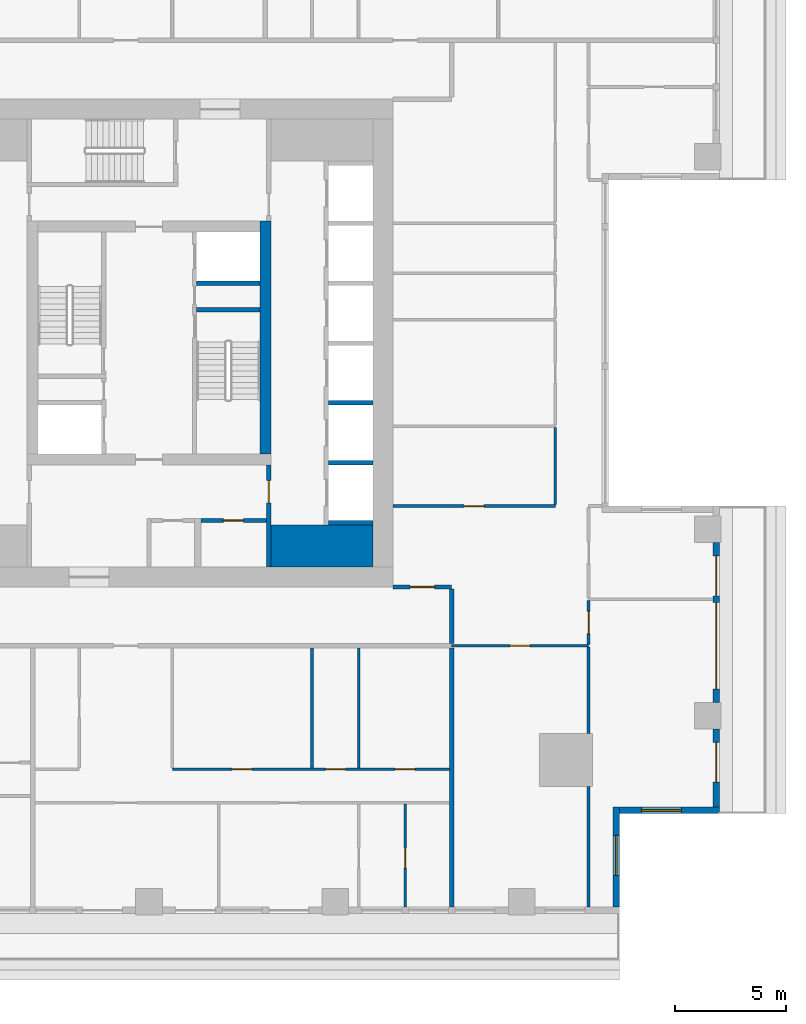
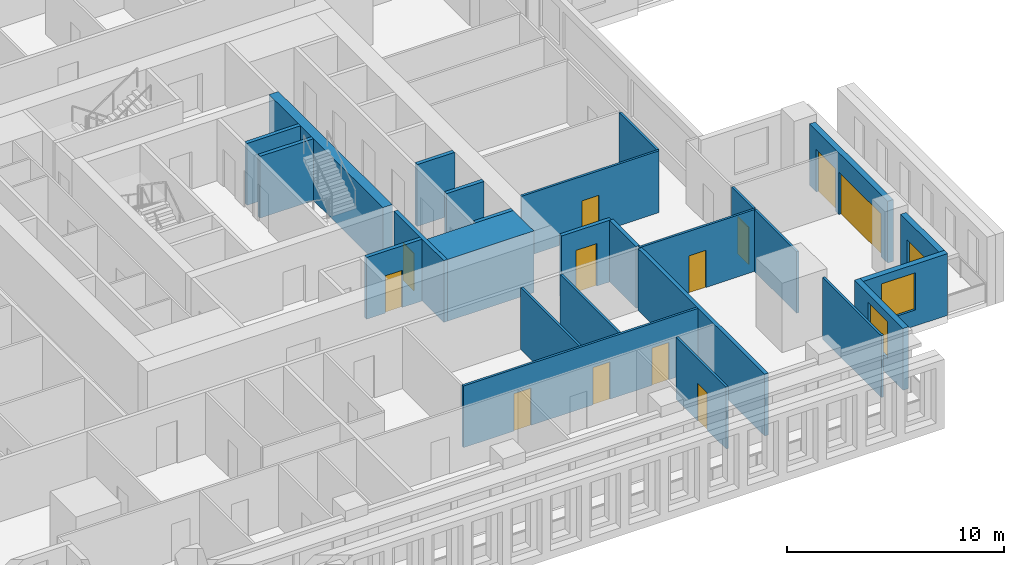
# One storey, part 5 of 16: 26 walls, 13 doors, 2 windows, 15 openings.
"""IFC4 building model written with IfcOpenShell, lengths in metres."""

import ifcopenshell
import ifcopenshell.guid

model = None  # the IFC model being written
_history = None  # IfcOwnerHistory: only IFC2X3 demands one
_inside = {}  # id of a spatial element -> (the spatial element, [elements in it])
_under = {}  # id of a project, library or spatial element -> (it, [spatial elements below it])
_declared = {}  # id of a project -> (the project, [libraries it declares])
_typed = {}  # id of a type object -> (the type object, [elements of that type])
_made_of = {}  # id of a material, layer set ... -> (it, [elements and type objects made of it])


def new_model(schema):
    """Start an empty IFC model of exactly this schema.

    Asked for "IFC4X3", IfcOpenShell would pick the latest addendum, in which some entities
    have other attributes; the version numbers below select the first issue.
    IFC2X3 requires an IfcOwnerHistory on every rooted entity: one is made here for all.
    """
    global model, _history
    if schema == "IFC4X3":
        model = ifcopenshell.file(schema_version=(4, 3, 0, 0))
    else:
        model = ifcopenshell.file(schema=schema)
    _inside.clear()
    _under.clear()
    _declared.clear()
    _typed.clear()
    _made_of.clear()
    _history = None
    if model.schema == "IFC2X3":
        org = make("IfcOrganization", Name="unknown")
        user = make(
            "IfcPersonAndOrganization",
            ThePerson=make("IfcPerson", FamilyName="unknown"),
            TheOrganization=org,
        )
        app = make(
            "IfcApplication",
            ApplicationDeveloper=org,
            Version="unknown",
            ApplicationFullName="unknown",
            ApplicationIdentifier="unknown",
        )
        _history = make(
            "IfcOwnerHistory",
            OwningUser=user,
            OwningApplication=app,
            ChangeAction="ADDED",
            CreationDate=0,
        )
    return model


def make(cls, **values):
    """One entity of the class cls with the attributes given. An attribute that is None is left unset."""
    return model.create_entity(
        cls, **{name: value for name, value in values.items() if value is not None}
    )


def rooted(cls, **values):
    """An entity with a GlobalId (a new one), such as an element, a storey or a relation."""
    return make(cls, GlobalId=ifcopenshell.guid.new(), OwnerHistory=_history, **values)


def si_unit(unit_type, name, prefix=None):
    """IfcSIUnit, for example si_unit("LENGTHUNIT", "METRE", prefix="MILLI")."""
    return make("IfcSIUnit", UnitType=unit_type, Prefix=prefix, Name=name)


def assignment(units):
    """IfcUnitAssignment: the units of a project."""
    return None if units is None else make("IfcUnitAssignment", Units=units)


def point(xyz):
    """IfcCartesianPoint."""
    return None if xyz is None else make("IfcCartesianPoint", Coordinates=xyz)


def direction(xyz):
    """IfcDirection."""
    return None if xyz is None else make("IfcDirection", DirectionRatios=xyz)


def frame(location, z_axis=None, x_axis=None):
    """IfcAxis2Placement3D, a coordinate frame: its origin and axes. An axis left out is left unset."""
    return make(
        "IfcAxis2Placement3D",
        Location=point(location),
        Axis=direction(z_axis),
        RefDirection=direction(x_axis),
    )


def frame_2d(location, x_axis=None):
    """IfcAxis2Placement2D, a coordinate frame in the plane: its origin and x axis."""
    return make(
        "IfcAxis2Placement2D", Location=point(location), RefDirection=direction(x_axis)
    )


def origin():
    """The frame at (0, 0, 0) with its axes left unset."""
    return frame((0.0, 0.0, 0.0))


def place(relative_to, where):
    """IfcLocalPlacement: puts the frame where relative to a parent placement (None: the world)."""
    return make(
        "IfcLocalPlacement", PlacementRelTo=relative_to, RelativePlacement=where
    )


def context(
    kind, dimensions, precision=None, world=None, true_north=None, identifier=None
):
    """IfcGeometricRepresentationContext, for example the 3D "Model" context."""
    return make(
        "IfcGeometricRepresentationContext",
        ContextIdentifier=identifier,
        ContextType=kind,
        CoordinateSpaceDimension=dimensions,
        Precision=precision,
        WorldCoordinateSystem=world,
        TrueNorth=true_north,
    )


def subcontext(parent, identifier, kind, view, scale=None):
    """IfcGeometricRepresentationSubContext, for example "Body" below "Model"."""
    return make(
        "IfcGeometricRepresentationSubContext",
        ContextIdentifier=identifier,
        ContextType=kind,
        ParentContext=parent,
        TargetScale=scale,
        TargetView=view,
    )


def project(units=None, contexts=None):
    """IfcProject with its units and contexts."""
    return rooted(
        "IfcProject",
        Name="project",
        RepresentationContexts=contexts,
        UnitsInContext=assignment(units),
    )


def spatial(cls, under=None, at=None, **own):
    """A site, building, storey or space (cls), placed at a placement, below another one or the project."""
    s = rooted(cls, ObjectPlacement=at, **own)
    if under is not None:
        _under.setdefault(under.id(), (under, []))[1].append(s)
    return s


def profile(cls, at=None, kind="AREA", **sizes):
    """A parametric profile (cls). Its sizes go by their IFC names, for example OverallWidth=200.0."""
    return make(cls, ProfileType=kind, Position=at, **sizes)


def rectangle(**sizes):
    """IfcRectangleProfileDef."""
    return profile("IfcRectangleProfileDef", **sizes)


def extrude(swept, where, along, depth):
    """IfcExtrudedAreaSolid: the profile swept, set in the frame where, extruded along a direction by depth."""
    return make(
        "IfcExtrudedAreaSolid",
        SweptArea=swept,
        Position=where,
        ExtrudedDirection=direction(along),
        Depth=depth,
    )


def shape(context_of_items, identifier, shape_type, items):
    """IfcShapeRepresentation: the items that make up one representation, for example the "Body"."""
    return make(
        "IfcShapeRepresentation",
        ContextOfItems=context_of_items,
        RepresentationIdentifier=identifier,
        RepresentationType=shape_type,
        Items=items,
    )


def material(Name=None, Category=None):
    """IfcMaterial."""
    return make("IfcMaterial", Name=Name, Category=Category)


def layer(
    of_material, thickness, ventilated=None, Name=None, Category=None, Priority=None
):
    """IfcMaterialLayer: one layer of a wall or slab, of a material (None: an air gap)."""
    return make(
        "IfcMaterialLayer",
        Material=of_material,
        LayerThickness=thickness,
        IsVentilated=ventilated,
        Name=Name,
        Category=Category,
        Priority=Priority,
    )


def layer_set(layers, Name=None):
    """IfcMaterialLayerSet."""
    return make("IfcMaterialLayerSet", MaterialLayers=layers, LayerSetName=Name)


def made_of(thing, what):
    """Note that an element or type object is made of a material, layer set ...; save() writes the relation."""
    if what is not None:
        _made_of.setdefault(what.id(), (what, []))[1].append(thing)
    return thing


def type_object(cls, material=None, **own):
    """A type object (cls), such as IfcWallType, which elements share."""
    return made_of(rooted(cls, **own), material)


def element(
    cls,
    number,
    at=None,
    inside=None,
    cuts=None,
    type_object=None,
    material=None,
    context=None,
    identifier="Body",
    shape_type=None,
    held_by="IfcProductDefinitionShape",
    body=None,
    shapes=None,
    **own,
):
    """One element of the class cls, such as IfcWall. Its Tag is "e" and its number.

    at: its placement. inside: the storey or other place that contains it. cuts: it is an
    opening in that element (IfcRelVoidsElement). A single representation is given by context,
    identifier, shape_type and body (its items); several are given by shapes. held_by: the class
    of the entity that holds the representations. save() writes the other relations.
    """
    e = rooted(cls, Tag="e%d" % number, ObjectPlacement=at, **own)
    if body is not None:
        shapes = [shape(context, identifier, shape_type, body)]
    if shapes is not None:
        e.Representation = make(held_by, Representations=shapes)
    if inside is not None:
        _inside.setdefault(inside.id(), (inside, []))[1].append(e)
    if cuts is not None:
        rooted(
            "IfcRelVoidsElement", RelatingBuildingElement=cuts, RelatedOpeningElement=e
        )
    if type_object is not None:
        _typed.setdefault(type_object.id(), (type_object, []))[1].append(e)
    return made_of(e, material)


def fill(opening, filler):
    """IfcRelFillsElement: the door or window that sits in an opening."""
    return rooted(
        "IfcRelFillsElement",
        RelatingOpeningElement=opening,
        RelatedBuildingElement=filler,
    )


def aggregate(whole, parts):
    """IfcRelAggregates: a whole, such as a stair, and the parts it consists of."""
    return rooted("IfcRelAggregates", RelatingObject=whole, RelatedObjects=parts)


def save(model, path):
    """Write the relations noted so far, then the file.

    IfcRelAggregates (storeys below a building ...), IfcRelContainedInSpatialStructure (elements
    in a storey), IfcRelDefinesByType, IfcRelAssociatesMaterial and IfcRelDeclares: one each for
    every whole, place, type object, material and project.
    """
    for whole, parts in _under.values():
        aggregate(whole, parts)
    for where, things in _inside.values():
        rooted(
            "IfcRelContainedInSpatialStructure",
            RelatedElements=things,
            RelatingStructure=where,
        )
    for kind, things in _typed.values():
        rooted("IfcRelDefinesByType", RelatedObjects=things, RelatingType=kind)
    for what, things in _made_of.values():
        rooted("IfcRelAssociatesMaterial", RelatedObjects=things, RelatingMaterial=what)
    for by, libraries in _declared.values():
        rooted("IfcRelDeclares", RelatingContext=by, RelatedDefinitions=libraries)
    model.write(path)


model = new_model("IFC4")

# Units and contexts
model_context = context("Model", 3, precision=1e-05, world=origin(), true_north=direction((0.0, 1.0)))
body_context = subcontext(model_context, "Body", "Model", "MODEL_VIEW")
ifc_project = project(units=[si_unit("LENGTHUNIT", "METRE"), si_unit("AREAUNIT", "SQUARE_METRE"), si_unit("VOLUMEUNIT", "CUBIC_METRE"), si_unit("PLANEANGLEUNIT", "RADIAN"), si_unit("MASSUNIT", "GRAM", prefix="KILO")], contexts=[model_context])

# Site, building, storey
site_placement = place(None, origin())
site = spatial("IfcSite", under=ifc_project, at=site_placement, CompositionType="ELEMENT")
building_placement = place(site_placement, origin())
building = spatial("IfcBuilding", under=site, at=building_placement, Name="Khepri Terraces", CompositionType="ELEMENT")
storey_placement = place(building_placement, frame((0.0, 0.0, 207.89990234375)))
storey = spatial("IfcBuildingStorey", under=building, at=storey_placement, Name="L49", CompositionType="ELEMENT", Elevation=207.89990234375)

# Walls
ifc_material_1 = material(Name="Concrete C50/60", Category="concrete")
ifc_layer_1 = layer(ifc_material_1, 1.89990234375, Name="Concrete C50/60", Category="concrete")
ifc_layer_set_1 = layer_set([ifc_layer_1], Name="Concrete C50/60")
wall_type_1 = type_object("IfcWallType", Name="Core wall 1900 C50/60", PredefinedType="SHEAR", material=ifc_layer_set_1)
wall_1_placement = place(storey_placement, frame((5.5, -9.14990234375, 0.0), z_axis=(0.0, 0.0, 1.0), x_axis=(1.0, 0.0, 0.0)))
element("IfcWall", 1, at=wall_1_placement, inside=storey, type_object=wall_type_1, Name="Core wall PR02 L49", PredefinedType="SHEAR", context=body_context, shape_type="SweptSolid", body=[
    extrude(rectangle(XDim=4.60009765625, YDim=1.89990234375, at=frame_2d((2.300048828125, 0.0))), origin(), (0.0, 0.0, 1.0), 3.47998046875),
])
ifc_layer_2 = layer(ifc_material_1, 0.199951171875, Name="Concrete C50/60", Category="concrete")
ifc_layer_set_2 = layer_set([ifc_layer_2], Name="Concrete C50/60")
wall_type_2 = type_object("IfcWallType", Name="Core wall 200 C50/60", PredefinedType="SHEAR", material=ifc_layer_set_2)
wall_2_placement = place(storey_placement, frame((2.14990234375, 1.5, 0.0), z_axis=(0.0, 0.0, 1.0), x_axis=(1.0, 0.0, 0.0)))
element("IfcWall", 2, at=wall_2_placement, inside=storey, type_object=wall_type_2, Name="Core wall ST04 L49", PredefinedType="SHEAR", context=body_context, shape_type="SweptSolid", body=[
    extrude(rectangle(XDim=2.85009765625, YDim=0.199951171875, at=frame_2d((1.425048828125, 0.0))), origin(), (0.0, 0.0, 1.0), 3.47998046875),
])
for number, where, z_axis, x_axis, name in (
    (3, (8.10009765625, -8.10009765625, 0.0), (0.0, 0.0, 1.0), (1.0, 0.0, 0.0), "Core wall SH03 L49"),
    (4, (8.10009765625, -5.39990234375, 0.0), (0.0, 0.0, 1.0), (1.0, 0.0, 0.0), "Core wall SH04 L49"),
    (5, (8.10009765625, -2.699951171875, 0.0), (0.0, 0.0, 1.0), (1.0, 0.0, 0.0), "Core wall SH08 L49"),
):
    element("IfcWall", number, at=place(storey_placement, frame(where, z_axis=z_axis, x_axis=x_axis)), inside=storey, type_object=wall_type_2, Name=name, PredefinedType="SHEAR", context=body_context, shape_type="SweptSolid", body=[
        extrude(rectangle(XDim=2.0, YDim=0.199951171875, at=frame_2d((1.0, 0.0))), origin(), (0.0, 0.0, 1.0), 3.47998046875),
    ])
wall_3_placement = place(storey_placement, frame((2.14990234375, 2.699951171875, 0.0), z_axis=(0.0, 0.0, 1.0), x_axis=(1.0, 0.0, 0.0)))
element("IfcWall", 6, at=wall_3_placement, inside=storey, type_object=wall_type_2, Name="Core wall SH12 L49", PredefinedType="SHEAR", context=body_context, shape_type="SweptSolid", body=[
    extrude(rectangle(XDim=2.85009765625, YDim=0.199951171875, at=frame_2d((1.425048828125, 0.0))), origin(), (0.0, 0.0, 1.0), 3.47998046875),
])
ifc_layer_3 = layer(ifc_material_1, 0.5, Name="Concrete C50/60", Category="concrete")
ifc_layer_set_3 = layer_set([ifc_layer_3], Name="Concrete C50/60")
wall_type_3 = type_object("IfcWallType", Name="Core wall 500 C50/60", PredefinedType="SHEAR", material=ifc_layer_set_3)
wall_4_placement = place(storey_placement, frame((5.25, -5.0, 0.0), z_axis=(0.0, 0.0, 1.0), x_axis=(0.0, 1.0, 0.0)))
element("IfcWall", 7, at=wall_4_placement, inside=storey, type_object=wall_type_3, Name="Core wall BX03 L49", PredefinedType="SHEAR", context=body_context, shape_type="SweptSolid", body=[
    extrude(rectangle(XDim=10.5, YDim=0.5, at=frame_2d((5.25, 0.0))), origin(), (0.0, 0.0, 1.0), 3.47998046875),
])

# Wall, opening, door
ifc_material_2 = material(Name="Fire-rated gypsum board partition")
ifc_layer_4 = layer(ifc_material_2, 0.199951171875, Name="Fire-rated gypsum board partition")
ifc_layer_set_4 = layer_set([ifc_layer_4], Name="Fire-rated gypsum board partition")
wall_type_4 = type_object("IfcWallType", Name="WL-CORE-PART-200", PredefinedType="PARTITIONING", material=ifc_layer_set_4)
wall_5_placement = place(storey_placement, frame((5.39990234375, -10.10009765625, 0.0), z_axis=(0.0, 0.0, 1.0), x_axis=(0.0, 1.0, 0.0)))
wall_5 = element("IfcWall", 8, at=wall_5_placement, inside=storey, type_object=wall_type_4, Name="Core partition PT04 L49", PredefinedType="PARTITIONING", context=body_context, shape_type="SweptSolid", body=[
    extrude(rectangle(XDim=4.60009765625, YDim=0.199951171875, at=frame_2d((2.300048828125, 0.0))), origin(), (0.0, 0.0, 1.0), 3.47998046875),
])
opening_1_placement = place(wall_5_placement, frame((2.89990234375, 0.0, 0.0)))
opening_1 = element("IfcOpeningElement", 9, at=opening_1_placement, cuts=wall_5, Name="Opening L49-C19", PredefinedType="OPENING", context=body_context, shape_type="SweptSolid", body=[
    extrude(rectangle(XDim=1.0, YDim=2.10009765625, at=frame_2d((0.5, 1.050048828125))), frame((0.0, 0.10986328125, 0.0), z_axis=(0.0, -1.0, 0.0), x_axis=(1.0, 0.0, 0.0)), (0.0, 0.0, 1.0), 0.219970703125),
])
ifc_material_3 = material(Name="Painted steel", Category="steel")
door_type_1 = type_object("IfcDoorType", Name="DR-CORE-LOBBY-1000", OperationType="NOTDEFINED", PredefinedType="DOOR", material=ifc_material_3)
door_1_placement = place(opening_1_placement, origin())
door_1 = element("IfcDoor", 10, at=door_1_placement, inside=storey, type_object=door_type_1, Name="Lobby door L49-C19", OperationType="SINGLE_SWING_RIGHT", OverallHeight=2.10009765625, OverallWidth=1.0, PredefinedType="DOOR", context=body_context, shape_type="SweptSolid", body=[
    extrude(rectangle(XDim=1.0, YDim=2.10009765625, at=frame_2d((0.5, 1.050048828125))), frame((0.0, 0.02490234375, 0.0), z_axis=(0.0, -1.0, 0.0), x_axis=(1.0, 0.0, 0.0)), (0.0, 0.0, 1.0), 0.050048828125),
])
fill(opening_1, door_1)

wall_6_placement = place(storey_placement, frame((2.35009765625, -8.0, 0.0), z_axis=(0.0, 0.0, 1.0), x_axis=(1.0, 0.0, 0.0)))
wall_6 = element("IfcWall", 11, at=wall_6_placement, inside=storey, type_object=wall_type_4, Name="Core partition PT07 L49", PredefinedType="PARTITIONING", context=body_context, shape_type="SweptSolid", body=[
    extrude(rectangle(XDim=2.949951171875, YDim=0.199951171875, at=frame_2d((1.47509765625, 0.0))), origin(), (0.0, 0.0, 1.0), 3.47998046875),
])
opening_2_placement = place(wall_6_placement, frame((1.0, 0.0, 0.0)))
opening_2 = element("IfcOpeningElement", 12, at=opening_2_placement, cuts=wall_6, Name="Opening L49-C23", PredefinedType="OPENING", context=body_context, shape_type="SweptSolid", body=[
    extrude(rectangle(XDim=0.89990234375, YDim=2.10009765625, at=frame_2d((0.449951171875, 1.050048828125))), frame((0.0, 0.10986328125, 0.0), z_axis=(0.0, -1.0, 0.0), x_axis=(1.0, 0.0, 0.0)), (0.0, 0.0, 1.0), 0.219970703125),
])
door_type_2 = type_object("IfcDoorType", Name="DR-CORE-SERVICE-900", OperationType="NOTDEFINED", PredefinedType="DOOR", material=ifc_material_3)
door_2_placement = place(opening_2_placement, frame((0.89990234375, 0.0, 0.0), z_axis=(0.0, 0.0, 1.0), x_axis=(-1.0, 0.0, 0.0)))
door_2 = element("IfcDoor", 13, at=door_2_placement, inside=storey, type_object=door_type_2, Name="Service room door L49-C23", OperationType="SINGLE_SWING_RIGHT", OverallHeight=2.10009765625, OverallWidth=0.89990234375, PredefinedType="DOOR", context=body_context, shape_type="SweptSolid", body=[
    extrude(rectangle(XDim=0.89990234375, YDim=2.10009765625, at=frame_2d((0.449951171875, 1.050048828125))), frame((0.0, 0.02490234375, 0.0), z_axis=(0.0, -1.0, 0.0), x_axis=(1.0, 0.0, 0.0)), (0.0, 0.0, 1.0), 0.050048828125),
])
fill(opening_2, door_2)

# Walls
ifc_material_4 = material(Name="Fire-rated gypsum plasterboard partition, mineral wool")
ifc_layer_5 = layer(ifc_material_4, 0.199951171875, Name="Fire-rated gypsum plasterboard partition, mineral wool")
ifc_layer_set_5 = layer_set([ifc_layer_5], Name="Fire-rated gypsum plasterboard partition, mineral wool")
wall_type_5 = type_object("IfcWallType", Name="WL-CORR-200", PredefinedType="PARTITIONING", material=ifc_layer_set_5)
wall_7_placement = place(storey_placement, frame((13.64990234375, -25.419921875, 0.0), z_axis=(0.0, 0.0, 1.0), x_axis=(0.0, 1.0, 0.0)))
element("IfcWall", 14, at=wall_7_placement, inside=storey, type_object=wall_type_5, Name="Partition P-008 L49", PredefinedType="PARTITIONING", context=body_context, shape_type="SweptSolid", body=[
    extrude(rectangle(XDim=11.669921875, YDim=0.199951171875, at=frame_2d((5.8349609375, 0.0))), origin(), (0.0, 0.0, 1.0), 3.47998046875),
])
wall_8_placement = place(storey_placement, frame((13.64990234375, -13.550048828125, 0.0), z_axis=(0.0, 0.0, 1.0), x_axis=(0.0, 1.0, 0.0)))
element("IfcWall", 15, at=wall_8_placement, inside=storey, type_object=wall_type_5, Name="Partition P-030 L49", PredefinedType="PARTITIONING", context=body_context, shape_type="SweptSolid", body=[
    extrude(rectangle(XDim=2.449951171875, YDim=0.199951171875, at=frame_2d((1.22509765625, 0.0))), origin(), (0.0, 0.0, 1.0), 3.47998046875),
])

# Wall, opening, door
wall_9_placement = place(storey_placement, frame((11.0, -11.0, 0.0), z_axis=(0.0, 0.0, 1.0), x_axis=(1.0, 0.0, 0.0)))
wall_9 = element("IfcWall", 16, at=wall_9_placement, inside=storey, type_object=wall_type_5, Name="Partition P-035 L49", PredefinedType="PARTITIONING", context=body_context, shape_type="SweptSolid", body=[
    extrude(rectangle(XDim=2.64990234375, YDim=0.199951171875, at=frame_2d((1.324951171875, 0.0))), origin(), (0.0, 0.0, 1.0), 3.47998046875),
])
opening_3_placement = place(wall_9_placement, frame((0.77490234375, 0.0, 0.0)))
opening_3 = element("IfcOpeningElement", 17, at=opening_3_placement, cuts=wall_9, Name="Opening D1", PredefinedType="OPENING", context=body_context, shape_type="SweptSolid", body=[
    extrude(rectangle(XDim=1.10009765625, YDim=2.39990234375, at=frame_2d((0.550048828125, 1.199951171875))), frame((0.0, 0.10986328125, 0.0), z_axis=(0.0, -1.0, 0.0), x_axis=(1.0, 0.0, 0.0)), (0.0, 0.0, 1.0), 0.219970703125),
])
ifc_material_5 = material(Name="Solid-core timber door leaf, flat entrance door", Category="wood")
door_type_3 = type_object("IfcDoorType", Name="DR-ENT-1100", OperationType="NOTDEFINED", PredefinedType="DOOR", material=ifc_material_5)
door_3_placement = place(opening_3_placement, origin())
door_3 = element("IfcDoor", 18, at=door_3_placement, inside=storey, type_object=door_type_3, Name="Flat B1 entrance door", OperationType="SINGLE_SWING_LEFT", OverallHeight=2.39990234375, OverallWidth=1.10009765625, PredefinedType="DOOR", context=body_context, shape_type="SweptSolid", body=[
    extrude(rectangle(XDim=1.10009765625, YDim=2.39990234375, at=frame_2d((0.550048828125, 1.199951171875))), frame((0.0, 0.02490234375, 0.0), z_axis=(0.0, -1.0, 0.0), x_axis=(1.0, 0.0, 0.0)), (0.0, 0.0, 1.0), 0.050048828125),
])
fill(opening_3, door_3)

# Wall, opening, window
ifc_material_6 = material(Name="Precast concrete C50/60 warm stone", Category="masonry")
ifc_layer_6 = layer(ifc_material_6, 0.300048828125, Name="Precast concrete C50/60 warm stone", Category="masonry")
ifc_layer_set_6 = layer_set([ifc_layer_6], Name="Precast concrete C50/60 warm stone")
wall_type_6 = type_object("IfcWallType", Name="WL-EXT-PRECAST-300", PredefinedType="STANDARD", material=ifc_layer_set_6)
wall_10_placement = place(storey_placement, frame((21.219970703125, -21.070068359375, 0.0), z_axis=(0.0, 0.0, 1.0), x_axis=(1.0, 0.0, 0.0)))
wall_10 = element("IfcWall", 19, at=wall_10_placement, inside=storey, type_object=wall_type_6, Name="External wall L49 S", PredefinedType="STANDARD", context=body_context, shape_type="SweptSolid", body=[
    extrude(rectangle(XDim=4.5, YDim=0.300048828125, at=frame_2d((2.25, 0.0))), origin(), (0.0, 0.0, 1.0), 3.47998046875),
])
opening_4_placement = place(wall_10_placement, frame((0.97998046875, 0.0, 0.89990234375)))
opening_4 = element("IfcOpeningElement", 20, at=opening_4_placement, cuts=wall_10, Name="Opening W1", PredefinedType="OPENING", context=body_context, shape_type="SweptSolid", body=[
    extrude(rectangle(XDim=1.800048828125, YDim=2.10009765625, at=frame_2d((0.89990234375, 1.050048828125))), frame((0.0, 0.16015625, 0.0), z_axis=(0.0, -1.0, 0.0), x_axis=(1.0, 0.0, 0.0)), (0.0, 0.0, 1.0), 0.320068359375),
])
ifc_material_7 = material(Name="Clear glass", Category="glass")
window_type = type_object("IfcWindowType", Name="WIN-RES-1800x2100", PartitioningType="SINGLE_PANEL", PredefinedType="WINDOW", material=ifc_material_7)
window_1_placement = place(opening_4_placement, origin())
window_1 = element("IfcWindow", 21, at=window_1_placement, inside=storey, type_object=window_type, Name="Window L49 S", OverallHeight=2.10009765625, OverallWidth=1.800048828125, PartitioningType="SINGLE_PANEL", PredefinedType="WINDOW", context=body_context, shape_type="SweptSolid", body=[
    extrude(rectangle(XDim=1.800048828125, YDim=2.10009765625, at=frame_2d((0.89990234375, 1.050048828125))), frame((0.0, 0.030029296875, 0.0), z_axis=(0.0, -1.0, 0.0), x_axis=(1.0, 0.0, 0.0)), (0.0, 0.0, 1.0), 0.06005859375),
])
fill(opening_4, window_1)

# Wall, opening, door
wall_11_placement = place(storey_placement, frame((25.570068359375, -20.919921875, 0.0), z_axis=(0.0, 0.0, 1.0), x_axis=(0.0, 1.0, 0.0)))
wall_11 = element("IfcWall", 22, at=wall_11_placement, inside=storey, type_object=wall_type_6, Name="External wall L49 E", PredefinedType="STANDARD", context=body_context, shape_type="SweptSolid", body=[
    extrude(rectangle(XDim=3.52001953125, YDim=0.300048828125, at=frame_2d((1.760009765625, 0.0))), origin(), (0.0, 0.0, 1.0), 3.47998046875),
])
opening_5_placement = place(wall_11_placement, frame((1.1201171875, 0.0, 0.0)))
opening_5 = element("IfcOpeningElement", 23, at=opening_5_placement, cuts=wall_11, Name="Opening ED-L49-01", PredefinedType="OPENING", context=body_context, shape_type="SweptSolid", body=[
    extrude(rectangle(XDim=1.800048828125, YDim=2.39990234375, at=frame_2d((0.89990234375, 1.199951171875))), frame((0.0, 0.16015625, 0.0), z_axis=(0.0, -1.0, 0.0), x_axis=(1.0, 0.0, 0.0)), (0.0, 0.0, 1.0), 0.320068359375),
])
ifc_material_8 = material(Name="Anodised aluminium bronze glazed door", Category="aluminium")
door_type_4 = type_object("IfcDoorType", Name="DR-BAL-SLIDE-1800x2400", OperationType="NOTDEFINED", PredefinedType="DOOR", material=ifc_material_8)
door_4_placement = place(opening_5_placement, origin())
door_4 = element("IfcDoor", 24, at=door_4_placement, inside=storey, type_object=door_type_4, Name="Balcony door L49 E", OperationType="SLIDING_TO_RIGHT", OverallHeight=2.39990234375, OverallWidth=1.800048828125, PredefinedType="DOOR", context=body_context, shape_type="SweptSolid", body=[
    extrude(rectangle(XDim=1.800048828125, YDim=2.39990234375, at=frame_2d((0.89990234375, 1.199951171875))), frame((0.0, 0.02490234375, 0.0), z_axis=(0.0, -1.0, 0.0), x_axis=(1.0, 0.0, 0.0)), (0.0, 0.0, 1.0), 0.050048828125),
])
fill(opening_5, door_4)

# Wall, openings, doors
wall_12_placement = place(storey_placement, frame((25.570068359375, -16.199951171875, 0.0), z_axis=(0.0, 0.0, 1.0), x_axis=(0.0, 1.0, 0.0)))
wall_12 = element("IfcWall", 25, at=wall_12_placement, inside=storey, type_object=wall_type_6, Name="External wall L49 E", PredefinedType="STANDARD", context=body_context, shape_type="SweptSolid", body=[
    extrude(rectangle(XDim=7.199951171875, YDim=0.300048828125, at=frame_2d((3.60009765625, 0.0))), origin(), (0.0, 0.0, 1.0), 3.47998046875),
])
opening_6_placement = place(wall_12_placement, frame((0.60009765625, 0.0, 0.0)))
opening_6 = element("IfcOpeningElement", 26, at=opening_6_placement, cuts=wall_12, Name="Opening ED-L49-02", PredefinedType="OPENING", context=body_context, shape_type="SweptSolid", body=[
    extrude(rectangle(XDim=3.89990234375, YDim=2.39990234375, at=frame_2d((1.949951171875, 1.199951171875))), frame((0.0, 0.16015625, 0.0), z_axis=(0.0, -1.0, 0.0), x_axis=(1.0, 0.0, 0.0)), (0.0, 0.0, 1.0), 0.320068359375),
])
opening_7_placement = place(wall_12_placement, frame((4.800048828125, 0.0, 0.0)))
opening_7 = element("IfcOpeningElement", 27, at=opening_7_placement, cuts=wall_12, Name="Opening ED-L49-03", PredefinedType="OPENING", context=body_context, shape_type="SweptSolid", body=[
    extrude(rectangle(XDim=1.800048828125, YDim=2.39990234375, at=frame_2d((0.89990234375, 1.199951171875))), frame((0.0, 0.16015625, 0.0), z_axis=(0.0, -1.0, 0.0), x_axis=(1.0, 0.0, 0.0)), (0.0, 0.0, 1.0), 0.320068359375),
])
door_5_placement = place(opening_7_placement, origin())
door_5 = element("IfcDoor", 28, at=door_5_placement, inside=storey, type_object=door_type_4, Name="Balcony door L49 E", OperationType="SLIDING_TO_RIGHT", OverallHeight=2.39990234375, OverallWidth=1.800048828125, PredefinedType="DOOR", context=body_context, shape_type="SweptSolid", body=[
    extrude(rectangle(XDim=1.800048828125, YDim=2.39990234375, at=frame_2d((0.89990234375, 1.199951171875))), frame((0.0, 0.02490234375, 0.0), z_axis=(0.0, -1.0, 0.0), x_axis=(1.0, 0.0, 0.0)), (0.0, 0.0, 1.0), 0.050048828125),
])
fill(opening_7, door_5)
door_type_5 = type_object("IfcDoorType", Name="DR-BAL-SLIDE-3900x2400", OperationType="NOTDEFINED", PredefinedType="DOOR", material=ifc_material_8)
door_6_placement = place(opening_6_placement, origin())
door_6 = element("IfcDoor", 29, at=door_6_placement, inside=storey, type_object=door_type_5, Name="Balcony door L49 E", OperationType="SLIDING_TO_LEFT", OverallHeight=2.39990234375, OverallWidth=3.89990234375, PredefinedType="DOOR", context=body_context, shape_type="SweptSolid", body=[
    extrude(rectangle(XDim=3.89990234375, YDim=2.39990234375, at=frame_2d((1.949951171875, 1.199951171875))), frame((0.0, 0.02490234375, 0.0), z_axis=(0.0, -1.0, 0.0), x_axis=(1.0, 0.0, 0.0)), (0.0, 0.0, 1.0), 0.050048828125),
])
fill(opening_6, door_6)

# Wall, opening, window
wall_13_placement = place(storey_placement, frame((21.070068359375, -25.419921875, 0.0), z_axis=(0.0, 0.0, 1.0), x_axis=(0.0, 1.0, 0.0)))
wall_13 = element("IfcWall", 30, at=wall_13_placement, inside=storey, type_object=wall_type_6, Name="External wall L49 E", PredefinedType="STANDARD", context=body_context, shape_type="SweptSolid", body=[
    extrude(rectangle(XDim=4.5, YDim=0.300048828125, at=frame_2d((2.25, 0.0))), origin(), (0.0, 0.0, 1.0), 3.47998046875),
])
opening_8_placement = place(wall_13_placement, frame((1.419921875, 0.0, 0.89990234375)))
opening_8 = element("IfcOpeningElement", 31, at=opening_8_placement, cuts=wall_13, Name="Opening W1", PredefinedType="OPENING", context=body_context, shape_type="SweptSolid", body=[
    extrude(rectangle(XDim=1.800048828125, YDim=2.10009765625, at=frame_2d((0.89990234375, 1.050048828125))), frame((0.0, 0.16015625, 0.0), z_axis=(0.0, -1.0, 0.0), x_axis=(1.0, 0.0, 0.0)), (0.0, 0.0, 1.0), 0.320068359375),
])
window_2_placement = place(opening_8_placement, origin())
window_2 = element("IfcWindow", 32, at=window_2_placement, inside=storey, type_object=window_type, Name="Window L49 E", OverallHeight=2.10009765625, OverallWidth=1.800048828125, PartitioningType="SINGLE_PANEL", PredefinedType="WINDOW", context=body_context, shape_type="SweptSolid", body=[
    extrude(rectangle(XDim=1.800048828125, YDim=2.10009765625, at=frame_2d((0.89990234375, 1.050048828125))), frame((0.0, 0.030029296875, 0.0), z_axis=(0.0, -1.0, 0.0), x_axis=(1.0, 0.0, 0.0)), (0.0, 0.0, 1.0), 0.06005859375),
])
fill(opening_8, window_2)

# Wall, opening, door
ifc_material_9 = material(Name="Gypsum plasterboard partition")
ifc_layer_7 = layer(ifc_material_9, 0.1201171875, Name="Gypsum plasterboard partition")
ifc_layer_set_7 = layer_set([ifc_layer_7], Name="Gypsum plasterboard partition")
wall_type_7 = type_object("IfcWallType", Name="WL-PART-120", PredefinedType="PARTITIONING", material=ifc_layer_set_7)
wall_14_placement = place(storey_placement, frame((11.550048828125, -25.419921875, 0.0), z_axis=(0.0, 0.0, 1.0), x_axis=(0.0, 1.0, 0.0)))
wall_14 = element("IfcWall", 33, at=wall_14_placement, inside=storey, type_object=wall_type_7, Name="Partition P-007 L49", PredefinedType="PARTITIONING", context=body_context, shape_type="SweptSolid", body=[
    extrude(rectangle(XDim=4.639892578125, YDim=0.1201171875, at=frame_2d((2.31982421875, 0.0))), origin(), (0.0, 0.0, 1.0), 3.47998046875),
])
opening_9_placement = place(wall_14_placement, frame((1.75, 0.0, 0.0)))
opening_9 = element("IfcOpeningElement", 34, at=opening_9_placement, cuts=wall_14, Name="Opening D4", PredefinedType="OPENING", context=body_context, shape_type="SweptSolid", body=[
    extrude(rectangle(XDim=0.89990234375, YDim=2.10009765625, at=frame_2d((0.449951171875, 1.050048828125))), frame((0.0, 0.070068359375, 0.0), z_axis=(0.0, -1.0, 0.0), x_axis=(1.0, 0.0, 0.0)), (0.0, 0.0, 1.0), 0.14013671875),
])
ifc_material_10 = material(Name="Timber door leaf, moisture resistant", Category="wood")
door_type_6 = type_object("IfcDoorType", Name="DR-WET-900", OperationType="NOTDEFINED", PredefinedType="DOOR", material=ifc_material_10)
door_7_placement = place(opening_9_placement, frame((0.89990234375, 0.0, 0.0), z_axis=(0.0, 0.0, 1.0), x_axis=(-1.0, 0.0, 0.0)))
door_7 = element("IfcDoor", 35, at=door_7_placement, inside=storey, type_object=door_type_6, Name="Door Bathroom", OperationType="SINGLE_SWING_RIGHT", OverallHeight=2.10009765625, OverallWidth=0.89990234375, PredefinedType="DOOR", context=body_context, shape_type="SweptSolid", body=[
    extrude(rectangle(XDim=0.89990234375, YDim=2.10009765625, at=frame_2d((0.449951171875, 1.050048828125))), frame((0.0, 0.02490234375, 0.0), z_axis=(0.0, -1.0, 0.0), x_axis=(1.0, 0.0, 0.0)), (0.0, 0.0, 1.0), 0.050048828125),
])
fill(opening_9, door_7)

# Wall
wall_15_placement = place(storey_placement, frame((19.820068359375, -25.419921875, 0.0), z_axis=(0.0, 0.0, 1.0), x_axis=(0.0, 1.0, 0.0)))
element("IfcWall", 36, at=wall_15_placement, inside=storey, type_object=wall_type_7, Name="Partition P-009 L49", PredefinedType="PARTITIONING", context=body_context, shape_type="SweptSolid", body=[
    extrude(rectangle(XDim=5.419921875, YDim=0.1201171875, at=frame_2d((2.7099609375, 0.0))), origin(), (0.0, 0.0, 1.0), 3.47998046875),
])

# Wall, openings, doors
wall_16_placement = place(storey_placement, frame((1.050048828125, -19.219970703125, 0.0), z_axis=(0.0, 0.0, 1.0), x_axis=(1.0, 0.0, 0.0)))
wall_16 = element("IfcWall", 37, at=wall_16_placement, inside=storey, type_object=wall_type_7, Name="Partition P-015 L49", PredefinedType="PARTITIONING", context=body_context, shape_type="SweptSolid", body=[
    extrude(rectangle(XDim=12.5, YDim=0.1201171875, at=frame_2d((6.25, 0.0))), origin(), (0.0, 0.0, 1.0), 3.47998046875),
])
opening_10_placement = place(wall_16_placement, frame((2.699951171875, 0.0, 0.0)))
opening_10 = element("IfcOpeningElement", 38, at=opening_10_placement, cuts=wall_16, Name="Opening D3", PredefinedType="OPENING", context=body_context, shape_type="SweptSolid", body=[
    extrude(rectangle(XDim=0.89990234375, YDim=2.10009765625, at=frame_2d((0.449951171875, 1.050048828125))), frame((0.0, 0.070068359375, 0.0), z_axis=(0.0, -1.0, 0.0), x_axis=(1.0, 0.0, 0.0)), (0.0, 0.0, 1.0), 0.14013671875),
])
opening_11_placement = place(wall_16_placement, frame((6.89990234375, 0.0, 0.0)))
opening_11 = element("IfcOpeningElement", 39, at=opening_11_placement, cuts=wall_16, Name="Opening D4", PredefinedType="OPENING", context=body_context, shape_type="SweptSolid", body=[
    extrude(rectangle(XDim=0.89990234375, YDim=2.10009765625, at=frame_2d((0.449951171875, 1.050048828125))), frame((0.0, 0.070068359375, 0.0), z_axis=(0.0, -1.0, 0.0), x_axis=(1.0, 0.0, 0.0)), (0.0, 0.0, 1.0), 0.14013671875),
])
opening_12_placement = place(wall_16_placement, frame((10.050048828125, 0.0, 0.0)))
opening_12 = element("IfcOpeningElement", 40, at=opening_12_placement, cuts=wall_16, Name="Opening D3", PredefinedType="OPENING", context=body_context, shape_type="SweptSolid", body=[
    extrude(rectangle(XDim=0.89990234375, YDim=2.10009765625, at=frame_2d((0.449951171875, 1.050048828125))), frame((0.0, 0.070068359375, 0.0), z_axis=(0.0, -1.0, 0.0), x_axis=(1.0, 0.0, 0.0)), (0.0, 0.0, 1.0), 0.14013671875),
])
ifc_material_11 = material(Name="Timber door leaf", Category="wood")
door_type_7 = type_object("IfcDoorType", Name="DR-INT-900", OperationType="NOTDEFINED", PredefinedType="DOOR", material=ifc_material_11)
door_8_placement = place(opening_10_placement, origin())
door_8 = element("IfcDoor", 41, at=door_8_placement, inside=storey, type_object=door_type_7, Name="Door Kitchen", OperationType="SINGLE_SWING_LEFT", OverallHeight=2.10009765625, OverallWidth=0.89990234375, PredefinedType="DOOR", context=body_context, shape_type="SweptSolid", body=[
    extrude(rectangle(XDim=0.89990234375, YDim=2.10009765625, at=frame_2d((0.449951171875, 1.050048828125))), frame((0.0, 0.02490234375, 0.0), z_axis=(0.0, -1.0, 0.0), x_axis=(1.0, 0.0, 0.0)), (0.0, 0.0, 1.0), 0.050048828125),
])
fill(opening_10, door_8)
door_9_placement = place(opening_12_placement, origin())
door_9 = element("IfcDoor", 42, at=door_9_placement, inside=storey, type_object=door_type_7, Name="Door Utility Room", OperationType="SINGLE_SWING_RIGHT", OverallHeight=2.10009765625, OverallWidth=0.89990234375, PredefinedType="DOOR", context=body_context, shape_type="SweptSolid", body=[
    extrude(rectangle(XDim=0.89990234375, YDim=2.10009765625, at=frame_2d((0.449951171875, 1.050048828125))), frame((0.0, 0.02490234375, 0.0), z_axis=(0.0, -1.0, 0.0), x_axis=(1.0, 0.0, 0.0)), (0.0, 0.0, 1.0), 0.050048828125),
])
fill(opening_12, door_9)
door_10_placement = place(opening_11_placement, origin())
door_10 = element("IfcDoor", 43, at=door_10_placement, inside=storey, type_object=door_type_6, Name="Door Powder Room", OperationType="SINGLE_SWING_RIGHT", OverallHeight=2.10009765625, OverallWidth=0.89990234375, PredefinedType="DOOR", context=body_context, shape_type="SweptSolid", body=[
    extrude(rectangle(XDim=0.89990234375, YDim=2.10009765625, at=frame_2d((0.449951171875, 1.050048828125))), frame((0.0, 0.02490234375, 0.0), z_axis=(0.0, -1.0, 0.0), x_axis=(1.0, 0.0, 0.0)), (0.0, 0.0, 1.0), 0.050048828125),
])
fill(opening_11, door_10)

# Walls
for number, where, z_axis, x_axis, name in (
    (44, (7.35009765625, -19.159912109375, 0.0), (0.0, 0.0, 1.0), (0.0, 1.0, 0.0), "Partition P-018 L49"),
    (45, (9.449951171875, -19.159912109375, 0.0), (0.0, 0.0, 1.0), (0.0, 1.0, 0.0), "Partition P-019 L49"),
):
    element("IfcWall", number, at=place(storey_placement, frame(where, z_axis=z_axis, x_axis=x_axis)), inside=storey, type_object=wall_type_7, Name=name, PredefinedType="PARTITIONING", context=body_context, shape_type="SweptSolid", body=[
        extrude(rectangle(XDim=5.409912109375, YDim=0.1201171875, at=frame_2d((2.705078125, 0.0))), origin(), (0.0, 0.0, 1.0), 3.47998046875),
    ])
wall_17_placement = place(storey_placement, frame((19.820068359375, -17.60009765625, 0.0), z_axis=(0.0, 0.0, 1.0), x_axis=(0.0, 1.0, 0.0)))
element("IfcWall", 46, at=wall_17_placement, inside=storey, type_object=wall_type_7, Name="Partition P-023 L49", PredefinedType="PARTITIONING", context=body_context, shape_type="SweptSolid", body=[
    extrude(rectangle(XDim=3.89013671875, YDim=0.1201171875, at=frame_2d((1.945068359375, 0.0))), origin(), (0.0, 0.0, 1.0), 3.47998046875),
])

# Wall, opening, door
wall_18_placement = place(storey_placement, frame((13.64990234375, -13.64990234375, 0.0), z_axis=(0.0, 0.0, 1.0), x_axis=(1.0, 0.0, 0.0)))
wall_18 = element("IfcWall", 47, at=wall_18_placement, inside=storey, type_object=wall_type_7, Name="Partition P-025 L49", PredefinedType="PARTITIONING", context=body_context, shape_type="SweptSolid", body=[
    extrude(rectangle(XDim=6.170166015625, YDim=0.1201171875, at=frame_2d((3.0849609375, 0.0))), origin(), (0.0, 0.0, 1.0), 3.47998046875),
])
opening_13_placement = place(wall_18_placement, frame((2.635009765625, 0.0, 0.0)))
opening_13 = element("IfcOpeningElement", 48, at=opening_13_placement, cuts=wall_18, Name="Opening D3", PredefinedType="OPENING", context=body_context, shape_type="SweptSolid", body=[
    extrude(rectangle(XDim=0.89990234375, YDim=2.10009765625, at=frame_2d((0.449951171875, 1.050048828125))), frame((0.0, 0.070068359375, 0.0), z_axis=(0.0, -1.0, 0.0), x_axis=(1.0, 0.0, 0.0)), (0.0, 0.0, 1.0), 0.14013671875),
])
door_11_placement = place(opening_13_placement, frame((0.89990234375, 0.0, 0.0), z_axis=(0.0, 0.0, 1.0), x_axis=(-1.0, 0.0, 0.0)))
door_11 = element("IfcDoor", 49, at=door_11_placement, inside=storey, type_object=door_type_7, Name="Door Home Cinema", OperationType="SINGLE_SWING_RIGHT", OverallHeight=2.10009765625, OverallWidth=0.89990234375, PredefinedType="DOOR", context=body_context, shape_type="SweptSolid", body=[
    extrude(rectangle(XDim=0.89990234375, YDim=2.10009765625, at=frame_2d((0.449951171875, 1.050048828125))), frame((0.0, 0.02490234375, 0.0), z_axis=(0.0, -1.0, 0.0), x_axis=(1.0, 0.0, 0.0)), (0.0, 0.0, 1.0), 0.050048828125),
])
fill(opening_13, door_11)

wall_19_placement = place(storey_placement, frame((19.820068359375, -13.590087890625, 0.0), z_axis=(0.0, 0.0, 1.0), x_axis=(0.0, 1.0, 0.0)))
wall_19 = element("IfcWall", 50, at=wall_19_placement, inside=storey, type_object=wall_type_7, Name="Partition P-026 L49", PredefinedType="PARTITIONING", context=body_context, shape_type="SweptSolid", body=[
    extrude(rectangle(XDim=1.97998046875, YDim=0.1201171875, at=frame_2d((0.989990234375, 0.0))), origin(), (0.0, 0.0, 1.0), 3.47998046875),
])
opening_14_placement = place(wall_19_placement, frame((0.489990234375, 0.0, 0.0)))
opening_14 = element("IfcOpeningElement", 51, at=opening_14_placement, cuts=wall_19, Name="Opening D2", PredefinedType="OPENING", context=body_context, shape_type="SweptSolid", body=[
    extrude(rectangle(XDim=1.0, YDim=2.10009765625, at=frame_2d((0.5, 1.050048828125))), frame((0.0, 0.070068359375, 0.0), z_axis=(0.0, -1.0, 0.0), x_axis=(1.0, 0.0, 0.0)), (0.0, 0.0, 1.0), 0.14013671875),
])
ifc_material_12 = material(Name="Timber door leaf, living room door", Category="wood")
door_type_8 = type_object("IfcDoorType", Name="DR-INT-1000", OperationType="NOTDEFINED", PredefinedType="DOOR", material=ifc_material_12)
door_12_placement = place(opening_14_placement, frame((1.0, 0.0, 0.0), z_axis=(0.0, 0.0, 1.0), x_axis=(-1.0, 0.0, 0.0)))
door_12 = element("IfcDoor", 52, at=door_12_placement, inside=storey, type_object=door_type_8, Name="Door Living Room", OperationType="SINGLE_SWING_RIGHT", OverallHeight=2.10009765625, OverallWidth=1.0, PredefinedType="DOOR", context=body_context, shape_type="SweptSolid", body=[
    extrude(rectangle(XDim=1.0, YDim=2.10009765625, at=frame_2d((0.5, 1.050048828125))), frame((0.0, 0.02490234375, 0.0), z_axis=(0.0, -1.0, 0.0), x_axis=(1.0, 0.0, 0.0)), (0.0, 0.0, 1.0), 0.050048828125),
])
fill(opening_14, door_12)

wall_20_placement = place(storey_placement, frame((11.0, -7.35009765625, 0.0), z_axis=(0.0, 0.0, 1.0), x_axis=(1.0, 0.0, 0.0)))
wall_20 = element("IfcWall", 53, at=wall_20_placement, inside=storey, type_object=wall_type_7, Name="Partition P-039 L49", PredefinedType="PARTITIONING", context=body_context, shape_type="SweptSolid", body=[
    extrude(rectangle(XDim=7.320068359375, YDim=0.1201171875, at=frame_2d((3.66015625, 0.0))), origin(), (0.0, 0.0, 1.0), 3.47998046875),
])
opening_15_placement = place(wall_20_placement, frame((3.2099609375, 0.0, 0.0)))
opening_15 = element("IfcOpeningElement", 54, at=opening_15_placement, cuts=wall_20, Name="Opening D3", PredefinedType="OPENING", context=body_context, shape_type="SweptSolid", body=[
    extrude(rectangle(XDim=0.89990234375, YDim=2.10009765625, at=frame_2d((0.449951171875, 1.050048828125))), frame((0.0, 0.070068359375, 0.0), z_axis=(0.0, -1.0, 0.0), x_axis=(1.0, 0.0, 0.0)), (0.0, 0.0, 1.0), 0.14013671875),
])
door_13_placement = place(opening_15_placement, origin())
door_13 = element("IfcDoor", 55, at=door_13_placement, inside=storey, type_object=door_type_7, Name="Door Kitchen", OperationType="SINGLE_SWING_RIGHT", OverallHeight=2.10009765625, OverallWidth=0.89990234375, PredefinedType="DOOR", context=body_context, shape_type="SweptSolid", body=[
    extrude(rectangle(XDim=0.89990234375, YDim=2.10009765625, at=frame_2d((0.449951171875, 1.050048828125))), frame((0.0, 0.02490234375, 0.0), z_axis=(0.0, -1.0, 0.0), x_axis=(1.0, 0.0, 0.0)), (0.0, 0.0, 1.0), 0.050048828125),
])
fill(opening_15, door_13)

# Wall
wall_21_placement = place(storey_placement, frame((18.320068359375, -7.2900390625, 0.0), z_axis=(0.0, 0.0, 1.0), x_axis=(0.0, 1.0, 0.0)))
element("IfcWall", 56, at=wall_21_placement, inside=storey, type_object=wall_type_7, Name="Partition P-042 L49", PredefinedType="PARTITIONING", context=body_context, shape_type="SweptSolid", body=[
    extrude(rectangle(XDim=3.47998046875, YDim=0.1201171875, at=frame_2d((1.739990234375, 0.0))), origin(), (0.0, 0.0, 1.0), 3.47998046875),
])

save(model, "model.ifc")
